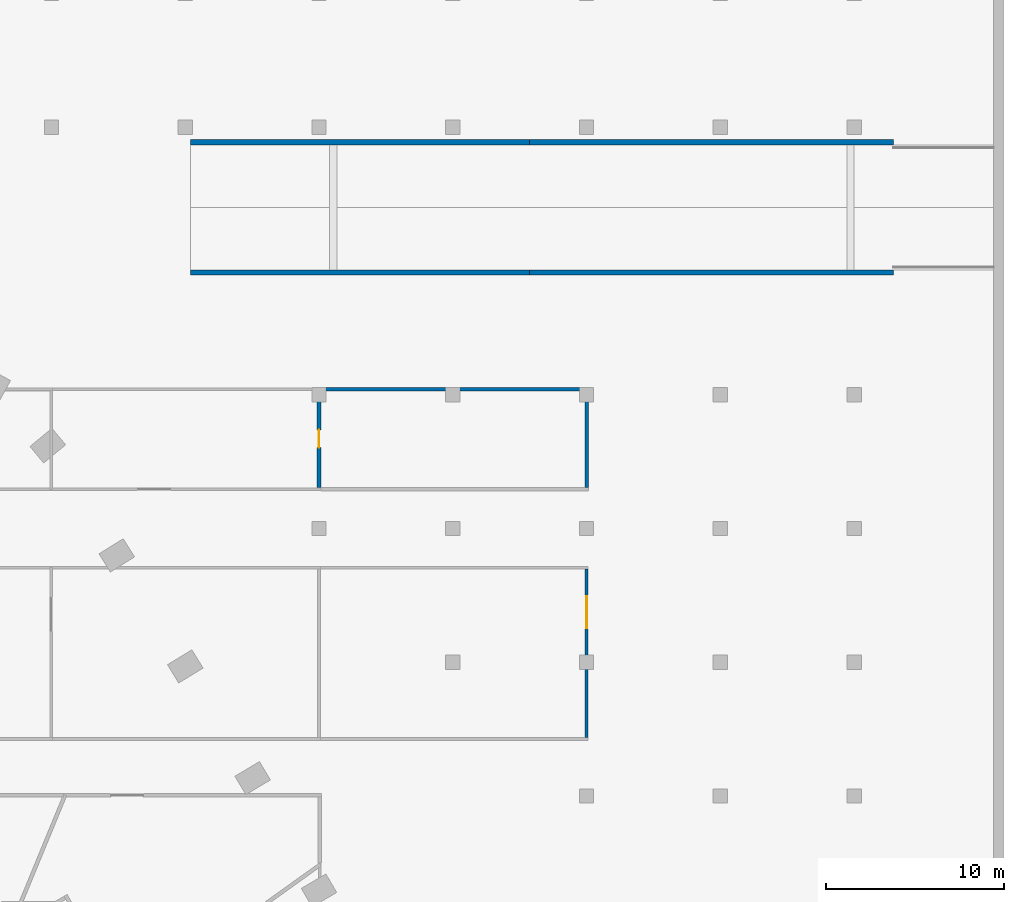
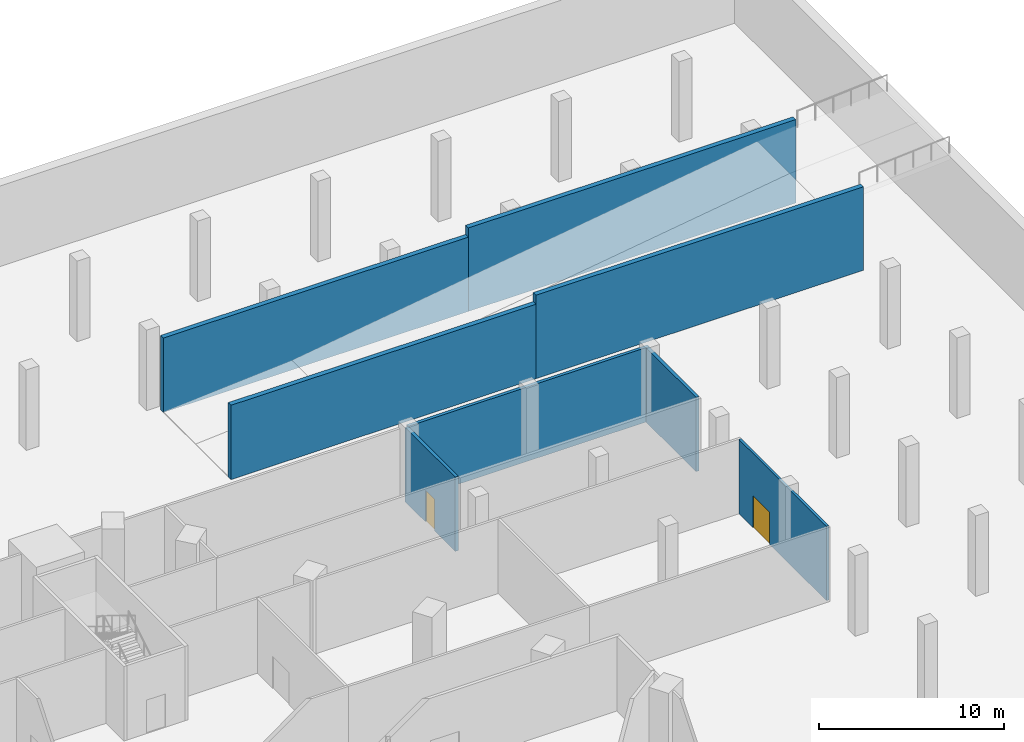
# One storey, part 13 of 20: 8 walls, 2 doors, 2 openings.
"""IFC4 building model written with IfcOpenShell, lengths in metres."""

from ifc_helpers import new_model, si_unit, direction, frame, frame_2d, origin, place, context, subcontext, project, spatial, rectangle, extrude, material, layer, layer_set, type_object, element, fill, save


model = new_model("IFC4")

# Units and contexts
model_context = context("Model", 3, precision=1e-05, world=origin(), true_north=direction((0.0, 1.0)))
body_context = subcontext(model_context, "Body", "Model", "MODEL_VIEW")
ifc_project = project(units=[si_unit("LENGTHUNIT", "METRE"), si_unit("AREAUNIT", "SQUARE_METRE"), si_unit("VOLUMEUNIT", "CUBIC_METRE"), si_unit("PLANEANGLEUNIT", "RADIAN"), si_unit("MASSUNIT", "GRAM", prefix="KILO")], contexts=[model_context])

# Site, building, storey
site_placement = place(None, origin())
site = spatial("IfcSite", under=ifc_project, at=site_placement, CompositionType="ELEMENT")
building_placement = place(site_placement, origin())
building = spatial("IfcBuilding", under=site, at=building_placement, Name="Entoto Arch Interchange Tower", CompositionType="ELEMENT")
storey_placement = place(building_placement, frame((0.0, 0.0, -5.5)))
storey = spatial("IfcBuildingStorey", under=building, at=storey_placement, Name="B1", CompositionType="ELEMENT", Elevation=-5.5)

# Walls
ifc_material_1 = material(Name="Concrete C40/50", Category="concrete")
ifc_layer_1 = layer(ifc_material_1, 0.300048828125)
ifc_layer_set_1 = layer_set([ifc_layer_1], Name="Concrete C40/50")
wall_type_1 = type_object("IfcWallType", Name="Car ramp kerb wall 300 C40/50", PredefinedType="SOLIDWALL", material=ifc_layer_set_1)
for number, where, z_axis, x_axis, name in (
    (1, (34.300048828125, 51.85009765625, 0.0), (0.0, 0.0, 1.0), (1.0, 0.0, 0.0), "Car ramp R1 kerb wall"),
    (2, (34.300048828125, 59.14990234375, 0.0), (0.0, 0.0, 1.0), (1.0, 0.0, 0.0), "Car ramp R1 kerb wall"),
):
    element("IfcWall", number, at=place(storey_placement, frame(where, z_axis=z_axis, x_axis=x_axis)), inside=storey, type_object=wall_type_1, Name=name, PredefinedType="SOLIDWALL", context=body_context, shape_type="SweptSolid", body=[
        extrude(rectangle(XDim=20.39990234375, YDim=0.300048828125, at=frame_2d((10.199951171875, 0.0))), origin(), (0.0, 0.0, 1.0), 5.5),
    ])
for number, where, z_axis, x_axis, name in (
    (3, (15.300048828125, 51.85009765625, 0.0), (0.0, 0.0, 1.0), (1.0, 0.0, 0.0), "Car ramp R1 kerb wall"),
    (4, (15.300048828125, 59.14990234375, 0.0), (0.0, 0.0, 1.0), (1.0, 0.0, 0.0), "Car ramp R1 kerb wall"),
):
    element("IfcWall", number, at=place(storey_placement, frame(where, z_axis=z_axis, x_axis=x_axis)), inside=storey, type_object=wall_type_1, Name=name, PredefinedType="SOLIDWALL", context=body_context, shape_type="SweptSolid", body=[
        extrude(rectangle(XDim=19.0, YDim=0.300048828125, at=frame_2d((9.5, 0.0))), origin(), (0.0, 0.0, 1.0), 4.89990234375),
    ])

# Wall, opening, door
ifc_material_2 = material(Name="Gypsum board partition on steel studs", Category="steel")
ifc_layer_2 = layer(ifc_material_2, 0.14990234375)
ifc_layer_set_2 = layer_set([ifc_layer_2], Name="Gypsum board partition on steel studs")
wall_type_2 = type_object("IfcWallType", Name="PARTITION 150", PredefinedType="PARTITIONING", material=ifc_layer_set_2)
wall_1_placement = place(storey_placement, frame((37.5, 35.22509765625, 0.0), z_axis=(0.0, 0.0, 1.0), x_axis=(0.0, -1.0, 0.0)))
wall_1 = element("IfcWall", 5, at=wall_1_placement, inside=storey, type_object=wall_type_2, Name="wall:B1:p088", PredefinedType="PARTITIONING", context=body_context, shape_type="SweptSolid", body=[
    extrude(rectangle(XDim=9.4501953125, YDim=0.14990234375, at=frame_2d((4.72509765625, 0.0))), origin(), (0.0, 0.0, 1.0), 4.89990234375),
])
opening_1_placement = place(wall_1_placement, frame((1.52490234375, 0.0, 0.0)))
opening_1 = element("IfcOpeningElement", 6, at=opening_1_placement, cuts=wall_1, Name="Opening B1-D33", PredefinedType="OPENING", context=body_context, shape_type="SweptSolid", body=[
    extrude(rectangle(XDim=1.800048828125, YDim=2.10009765625, at=frame_2d((0.89990234375, 1.050048828125))), frame((0.0, 0.0849609375, 0.0), z_axis=(0.0, -1.0, 0.0), x_axis=(1.0, 0.0, 0.0)), (0.0, 0.0, 1.0), 0.169921875),
])
ifc_material_3 = material(Name="Timber door leaf in Steel S235 frame", Category="steel")
door_type_1 = type_object("IfcDoorType", Name="DOOR DD-18 1800x2100", OperationType="DOUBLE_DOOR_SINGLE_SWING", PredefinedType="DOOR", material=ifc_material_3)
door_1_placement = place(opening_1_placement, origin())
door_1 = element("IfcDoor", 7, at=door_1_placement, inside=storey, type_object=door_type_1, Name="door:B1:33", OperationType="DOUBLE_DOOR_SINGLE_SWING", OverallHeight=2.10009765625, OverallWidth=1.800048828125, PredefinedType="DOOR", context=body_context, shape_type="SweptSolid", body=[
    extrude(rectangle(XDim=1.800048828125, YDim=2.10009765625, at=frame_2d((0.89990234375, 1.050048828125))), frame((0.0, 0.02490234375, 0.0), z_axis=(0.0, -1.0, 0.0), x_axis=(1.0, 0.0, 0.0)), (0.0, 0.0, 1.0), 0.050048828125),
])
fill(opening_1, door_1)

# Walls
ifc_layer_3 = layer(ifc_material_2, 0.199951171875)
ifc_layer_set_3 = layer_set([ifc_layer_3], Name="Gypsum board partition on steel studs")
wall_type_3 = type_object("IfcWallType", Name="PARTITION 200", PredefinedType="PARTITIONING", material=ifc_layer_set_3)
wall_2_placement = place(storey_placement, frame((22.60009765625, 45.300048828125, 0.0), z_axis=(0.0, 0.0, 1.0), x_axis=(1.0, 0.0, 0.0)))
element("IfcWall", 8, at=wall_2_placement, inside=storey, type_object=wall_type_3, Name="wall:B1:p100", PredefinedType="PARTITIONING", context=body_context, shape_type="SweptSolid", body=[
    extrude(rectangle(XDim=15.0, YDim=0.199951171875, at=frame_2d((7.5, 0.0))), origin(), (0.0, 0.0, 1.0), 4.89990234375),
])
wall_3_placement = place(storey_placement, frame((37.5, 45.199951171875, 0.0), z_axis=(0.0, 0.0, 1.0), x_axis=(0.0, -1.0, 0.0)))
element("IfcWall", 9, at=wall_3_placement, inside=storey, type_object=wall_type_3, Name="wall:B1:p101", PredefinedType="PARTITIONING", context=body_context, shape_type="SweptSolid", body=[
    extrude(rectangle(XDim=5.39990234375, YDim=0.199951171875, at=frame_2d((2.699951171875, 0.0))), origin(), (0.0, 0.0, 1.0), 4.89990234375),
])

# Wall, opening, door
wall_4_placement = place(storey_placement, frame((22.5, 45.199951171875, 0.0), z_axis=(0.0, 0.0, 1.0), x_axis=(0.0, -1.0, 0.0)))
wall_4 = element("IfcWall", 10, at=wall_4_placement, inside=storey, type_object=wall_type_3, Name="wall:B1:p130", PredefinedType="PARTITIONING", context=body_context, shape_type="SweptSolid", body=[
    extrude(rectangle(XDim=5.39990234375, YDim=0.199951171875, at=frame_2d((2.699951171875, 0.0))), origin(), (0.0, 0.0, 1.0), 4.89990234375),
])
opening_2_placement = place(wall_4_placement, frame((2.169921875, 0.0, 0.0)))
opening_2 = element("IfcOpeningElement", 11, at=opening_2_placement, cuts=wall_4, Name="Opening B1-D38", PredefinedType="OPENING", context=body_context, shape_type="SweptSolid", body=[
    extrude(rectangle(XDim=1.0, YDim=2.10009765625, at=frame_2d((0.5, 1.050048828125))), frame((0.0, 0.10986328125, 0.0), z_axis=(0.0, -1.0, 0.0), x_axis=(1.0, 0.0, 0.0)), (0.0, 0.0, 1.0), 0.219970703125),
])
ifc_material_4 = material(Name="Fire-rated Steel S235 door and frame", Category="steel")
door_type_2 = type_object("IfcDoorType", Name="DOOR FD-10 1000x2100", OperationType="SINGLE_SWING_LEFT", PredefinedType="DOOR", material=ifc_material_4)
door_2_placement = place(opening_2_placement, origin())
door_2 = element("IfcDoor", 12, at=door_2_placement, inside=storey, type_object=door_type_2, Name="door:B1:38", OperationType="SINGLE_SWING_RIGHT", OverallHeight=2.10009765625, OverallWidth=1.0, PredefinedType="DOOR", context=body_context, shape_type="SweptSolid", body=[
    extrude(rectangle(XDim=1.0, YDim=2.10009765625, at=frame_2d((0.5, 1.050048828125))), frame((0.0, 0.02490234375, 0.0), z_axis=(0.0, -1.0, 0.0), x_axis=(1.0, 0.0, 0.0)), (0.0, 0.0, 1.0), 0.050048828125),
])
fill(opening_2, door_2)

save(model, "model.ifc")
